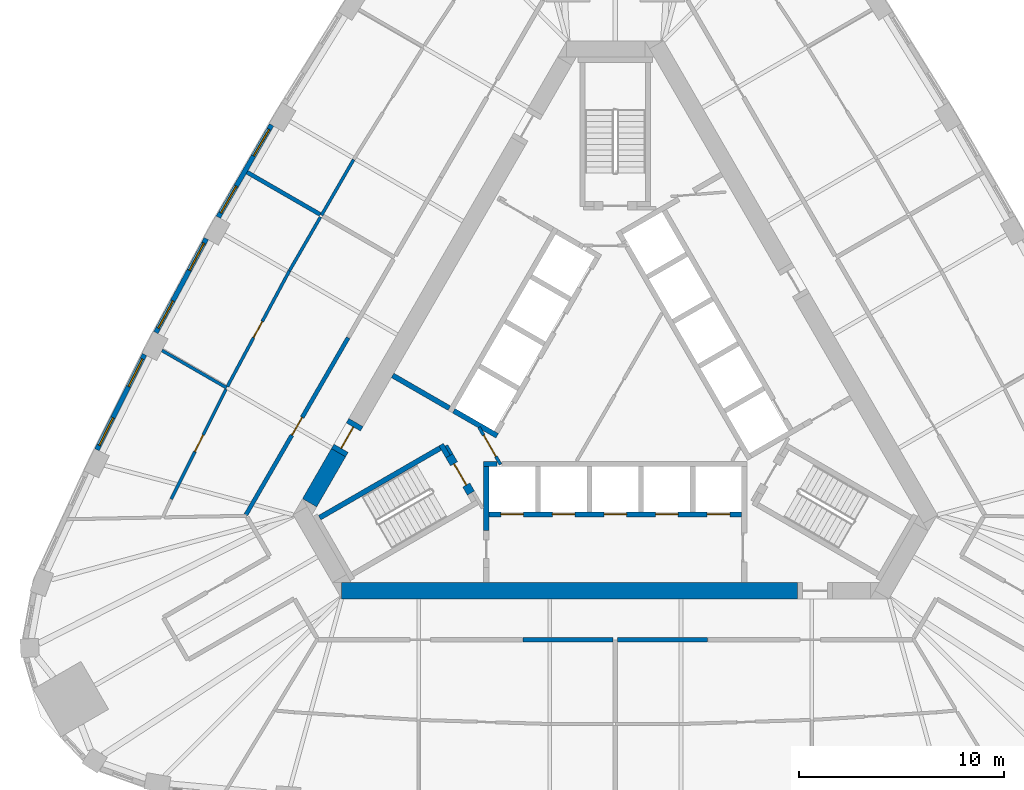
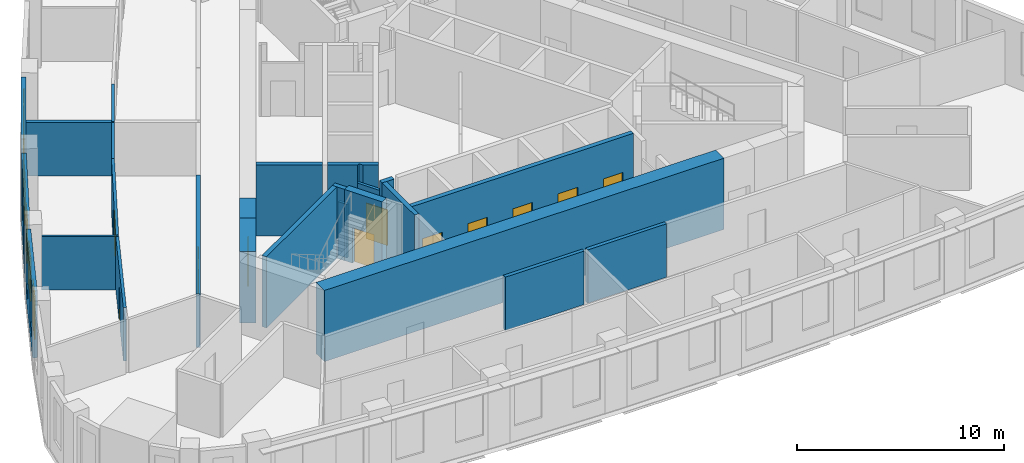
# One storey, part 4 of 10: 25 walls, 11 doors, 6 windows, 17 openings.
"""IFC4 building model written with IfcOpenShell, lengths in metres."""

from ifc_helpers import new_model, si_unit, direction, frame, frame_2d, origin, place, context, subcontext, project, spatial, polyline, rectangle, outline, extrude, material, layer, layer_set, type_object, element, fill, save


model = new_model("IFC4")

# Units and contexts
model_context = context("Model", 3, precision=1e-05, world=origin(), true_north=direction((0.0, 1.0)))
body_context = subcontext(model_context, "Body", "Model", "MODEL_VIEW")
ifc_project = project(units=[si_unit("LENGTHUNIT", "METRE"), si_unit("AREAUNIT", "SQUARE_METRE"), si_unit("VOLUMEUNIT", "CUBIC_METRE"), si_unit("PLANEANGLEUNIT", "RADIAN"), si_unit("MASSUNIT", "GRAM", prefix="KILO")], contexts=[model_context])

# Site, building, storey
site_placement = place(None, origin())
site = spatial("IfcSite", under=ifc_project, at=site_placement, CompositionType="ELEMENT")
building_placement = place(site_placement, origin())
building = spatial("IfcBuilding", under=site, at=building_placement, Name="Mestral Congress Tower", CompositionType="ELEMENT")
storey_placement = place(building_placement, frame((0.0, 0.0, 158.39990234375)))
storey = spatial("IfcBuildingStorey", under=building, at=storey_placement, Name="L37", CompositionType="ELEMENT", Elevation=158.39990234375)

# Wall
ifc_material_1 = material(Name="Fire-rated board partition")
ifc_layer_1 = layer(ifc_material_1, 0.14990234375)
ifc_layer_set_1 = layer_set([ifc_layer_1], Name="Fire-rated board partition")
wall_type_1 = type_object("IfcWallType", Name="Core partition 150", PredefinedType="PARTITIONING", material=ifc_layer_set_1)
wall_1_placement = place(storey_placement, frame((-8.251953125, -2.958251953125, 0.0), z_axis=(0.0, 0.0, 1.0), x_axis=(0.500174715838, -0.865924508047, 0.0)))
element("IfcWall", 1, at=wall_1_placement, inside=storey, type_object=wall_type_1, Name="L37 core wall", PredefinedType="PARTITIONING", context=body_context, shape_type="SweptSolid", body=[
    extrude(rectangle(XDim=0.513916015625, YDim=0.14990234375, at=frame_2d((0.2568359375, 0.0))), origin(), (0.0, 0.0, 1.0), 3.150146484375),
])

# Wall, opening, door
wall_2_placement = place(storey_placement, frame((-5.606201171875, -3.8896484375, 0.0), z_axis=(0.0, 0.0, 1.0), x_axis=(-0.500027713859, 0.866009402589, 0.0)))
wall_2 = element("IfcWall", 2, at=wall_2_placement, inside=storey, type_object=wall_type_1, Name="L37 door wall", PredefinedType="PARTITIONING", context=body_context, shape_type="SweptSolid", body=[
    extrude(rectangle(XDim=2.10009765625, YDim=0.14990234375, at=frame_2d((1.050048828125, 0.0))), origin(), (0.0, 0.0, 1.0), 3.150146484375),
])
opening_1_placement = place(wall_2_placement, frame((0.449951171875, 0.0, 0.0)))
opening_1 = element("IfcOpeningElement", 3, at=opening_1_placement, cuts=wall_2, Name="Opening CD3-FF", PredefinedType="OPENING", context=body_context, shape_type="SweptSolid", body=[
    extrude(rectangle(XDim=1.199951171875, YDim=2.10009765625, at=frame_2d((0.60009765625, 1.050048828125))), frame((0.0, 0.0849609375, 0.0), z_axis=(0.0, -1.0, 0.0), x_axis=(1.0, 0.0, 0.0)), (0.0, 0.0, 1.0), 0.169921875),
])
ifc_material_2 = material(Name="Fire-rated steel door set", Category="steel")
door_type_1 = type_object("IfcDoorType", Name="Core door CD 1200x2100", OperationType="SINGLE_SWING_LEFT", PredefinedType="DOOR", material=ifc_material_2)
door_1_placement = place(opening_1_placement, origin())
door_1 = element("IfcDoor", 4, at=door_1_placement, inside=storey, type_object=door_type_1, Name="Door CD3-FF", OperationType="SINGLE_SWING_LEFT", OverallHeight=2.10009765625, OverallWidth=1.199951171875, PredefinedType="DOOR", context=body_context, shape_type="SweptSolid", body=[
    extrude(rectangle(XDim=1.199951171875, YDim=2.10009765625, at=frame_2d((0.60009765625, 1.050048828125))), frame((0.0, 0.02490234375, 0.0), z_axis=(0.0, -1.0, 0.0), x_axis=(1.0, 0.0, 0.0)), (0.0, 0.0, 1.0), 0.050048828125),
])
fill(opening_1, door_1)

# Walls
ifc_material_3 = material(Name="Concrete C60/75", Category="concrete")
ifc_layer_2 = layer(ifc_material_3, 0.800048828125)
ifc_layer_set_2 = layer_set([ifc_layer_2], Name="Concrete C60/75")
wall_type_2 = type_object("IfcWallType", Name="Core wall RC 800", PredefinedType="SOLIDWALL", material=ifc_layer_set_2)
wall_3_placement = place(storey_placement, frame((-13.377685546875, -10.050048828125, 0.0), z_axis=(0.0, 0.0, 1.0), x_axis=(1.0, 0.0, 0.0)))
element("IfcWall", 5, at=wall_3_placement, inside=storey, type_object=wall_type_2, Name="L37 core wall", PredefinedType="SOLIDWALL", context=body_context, shape_type="SweptSolid", body=[
    extrude(rectangle(XDim=22.281982421875, YDim=0.800048828125, at=frame_2d((11.14111328125, 0.0))), origin(), (0.0, 0.0, 1.0), 4.2001953125),
])
wall_4_placement = place(storey_placement, frame((-13.518310546875, -3.314208984375, 0.0), z_axis=(0.0, 0.0, 1.0), x_axis=(-0.499969377405, -0.866043083026, 0.0)))
element("IfcWall", 6, at=wall_4_placement, inside=storey, type_object=wall_type_2, Name="L37 core wall", PredefinedType="SOLIDWALL", context=body_context, shape_type="SweptSolid", body=[
    extrude(rectangle(XDim=2.824462890625, YDim=0.800048828125, at=frame_2d((1.412109375, 0.0))), origin(), (0.0, 0.0, 1.0), 4.2001953125),
])

# Wall, opening, door
wall_5_placement = place(storey_placement, frame((-13.518310546875, -3.314208984375, 0.0), z_axis=(0.0, 0.0, 1.0), x_axis=(0.500062241894, 0.865989465428, 0.0)))
wall_5 = element("IfcWall", 7, at=wall_5_placement, inside=storey, type_object=wall_type_2, Name="L37 door wall", PredefinedType="SOLIDWALL", context=body_context, shape_type="SweptSolid", body=[
    extrude(rectangle(XDim=1.699951171875, YDim=0.800048828125, at=frame_2d((0.85009765625, 0.0))), origin(), (0.0, 0.0, 1.0), 4.2001953125),
])
opening_2_placement = place(wall_5_placement, frame((0.25, 0.0, 0.0)))
opening_2 = element("IfcOpeningElement", 8, at=opening_2_placement, cuts=wall_5, Name="Opening XD3", PredefinedType="OPENING", context=body_context, shape_type="SweptSolid", body=[
    extrude(rectangle(XDim=1.199951171875, YDim=2.10009765625, at=frame_2d((0.60009765625, 1.050048828125))), frame((0.0, 0.409912109375, 0.0), z_axis=(0.0, -1.0, 0.0), x_axis=(1.0, 0.0, 0.0)), (0.0, 0.0, 1.0), 0.820068359375),
])
door_type_2 = type_object("IfcDoorType", Name="Core door XD 1200x2100", OperationType="SINGLE_SWING_LEFT", PredefinedType="DOOR", material=ifc_material_2)
door_2_placement = place(opening_2_placement, origin())
door_2 = element("IfcDoor", 9, at=door_2_placement, inside=storey, type_object=door_type_2, Name="Door XD3", OperationType="SINGLE_SWING_LEFT", OverallHeight=2.10009765625, OverallWidth=1.199951171875, PredefinedType="DOOR", context=body_context, shape_type="SweptSolid", body=[
    extrude(rectangle(XDim=1.199951171875, YDim=2.10009765625, at=frame_2d((0.60009765625, 1.050048828125))), frame((0.0, 0.02490234375, 0.0), z_axis=(0.0, -1.0, 0.0), x_axis=(1.0, 0.0, 0.0)), (0.0, 0.0, 1.0), 0.050048828125),
])
fill(opening_2, door_2)

# Wall, openings, windows
ifc_material_4 = material(Name="Precast concrete C40/50 with limestone facing", Category="masonry")
ifc_layer_3 = layer(ifc_material_4, 0.239990234375)
ifc_layer_set_3 = layer_set([ifc_layer_3], Name="Precast concrete C40/50 with limestone facing")
wall_type_3 = type_object("IfcWallType", Name="Facade stone wall 240", PredefinedType="SOLIDWALL", material=ifc_layer_set_3)
wall_6_placement = place(storey_placement, frame((-16.788818359375, 12.697265625, 0.0), z_axis=(0.0, 0.0, 1.0), x_axis=(-0.500009456303, -0.866019944116, 0.0)))
wall_6 = element("IfcWall", 10, at=wall_6_placement, inside=storey, type_object=wall_type_3, Name="Facade wall F2-03", PredefinedType="SOLIDWALL", context=body_context, shape_type="SweptSolid", body=[
    extrude(rectangle(XDim=5.20361328125, YDim=0.239990234375, at=frame_2d((2.601806640625, 0.0))), origin(), (0.0, 0.0, 1.0), 3.9501953125),
])
opening_3_placement = place(wall_6_placement, frame((0.248291015625, 0.0, 0.89990234375)))
opening_3 = element("IfcOpeningElement", 11, at=opening_3_placement, cuts=wall_6, Name="Opening W4", PredefinedType="OPENING", context=body_context, shape_type="SweptSolid", body=[
    extrude(rectangle(XDim=1.5, YDim=2.550048828125, at=frame_2d((0.75, 1.27490234375))), frame((0.0, 0.1298828125, 0.0), z_axis=(0.0, -1.0, 0.0), x_axis=(1.0, 0.0, 0.0)), (0.0, 0.0, 1.0), 0.260009765625),
])
opening_4_placement = place(wall_6_placement, frame((3.455078125, 0.0, 0.89990234375)))
opening_4 = element("IfcOpeningElement", 12, at=opening_4_placement, cuts=wall_6, Name="Opening W4", PredefinedType="OPENING", context=body_context, shape_type="SweptSolid", body=[
    extrude(rectangle(XDim=1.5, YDim=2.550048828125, at=frame_2d((0.75, 1.27490234375))), frame((0.0, 0.1298828125, 0.0), z_axis=(0.0, -1.0, 0.0), x_axis=(1.0, 0.0, 0.0)), (0.0, 0.0, 1.0), 0.260009765625),
])
ifc_material_5 = material(Name="Clear low-emissivity double glazing", Category="glass")
window_type = type_object("IfcWindowType", Name="Facade punched window 1500 x 2550 sill 900", PartitioningType="SINGLE_PANEL", PredefinedType="WINDOW", material=ifc_material_5)
window_1_placement = place(opening_3_placement, origin())
window_1 = element("IfcWindow", 13, at=window_1_placement, inside=storey, type_object=window_type, Name="Window F2-03a", OverallHeight=2.550048828125, OverallWidth=1.5, PartitioningType="SINGLE_PANEL", PredefinedType="WINDOW", context=body_context, shape_type="SweptSolid", body=[
    extrude(rectangle(XDim=1.5, YDim=2.550048828125, at=frame_2d((0.75, 1.27490234375))), frame((0.0, 0.0400390625, 0.0), z_axis=(0.0, -1.0, 0.0), x_axis=(1.0, 0.0, 0.0)), (0.0, 0.0, 1.0), 0.06005859375),
])
fill(opening_3, window_1)
window_2_placement = place(opening_4_placement, origin())
window_2 = element("IfcWindow", 14, at=window_2_placement, inside=storey, type_object=window_type, Name="Window F2-03b", OverallHeight=2.550048828125, OverallWidth=1.5, PartitioningType="SINGLE_PANEL", PredefinedType="WINDOW", context=body_context, shape_type="SweptSolid", body=[
    extrude(rectangle(XDim=1.5, YDim=2.550048828125, at=frame_2d((0.75, 1.27490234375))), frame((0.0, 0.0400390625, 0.0), z_axis=(0.0, -1.0, 0.0), x_axis=(1.0, 0.0, 0.0)), (0.0, 0.0, 1.0), 0.06005859375),
])
fill(opening_4, window_2)

wall_7_placement = place(storey_placement, frame((-19.976806640625, 7.138671875, 0.0), z_axis=(0.0, 0.0, 1.0), x_axis=(-0.473349833294, -0.880874528704, 0.0)))
wall_7 = element("IfcWall", 15, at=wall_7_placement, inside=storey, type_object=wall_type_3, Name="Facade wall F2-04", PredefinedType="SOLIDWALL", context=body_context, shape_type="SweptSolid", body=[
    extrude(rectangle(XDim=5.20361328125, YDim=0.239990234375, at=frame_2d((2.601806640625, 0.0))), origin(), (0.0, 0.0, 1.0), 3.9501953125),
])
opening_5_placement = place(wall_7_placement, frame((0.248291015625, 0.0, 0.89990234375)))
opening_5 = element("IfcOpeningElement", 16, at=opening_5_placement, cuts=wall_7, Name="Opening W4", PredefinedType="OPENING", context=body_context, shape_type="SweptSolid", body=[
    extrude(rectangle(XDim=1.5, YDim=2.550048828125, at=frame_2d((0.75, 1.27490234375))), frame((0.0, 0.1298828125, 0.0), z_axis=(0.0, -1.0, 0.0), x_axis=(1.0, 0.0, 0.0)), (0.0, 0.0, 1.0), 0.260009765625),
])
opening_6_placement = place(wall_7_placement, frame((3.455078125, 0.0, 0.89990234375)))
opening_6 = element("IfcOpeningElement", 17, at=opening_6_placement, cuts=wall_7, Name="Opening W4", PredefinedType="OPENING", context=body_context, shape_type="SweptSolid", body=[
    extrude(rectangle(XDim=1.5, YDim=2.550048828125, at=frame_2d((0.75, 1.27490234375))), frame((0.0, 0.1298828125, 0.0), z_axis=(0.0, -1.0, 0.0), x_axis=(1.0, 0.0, 0.0)), (0.0, 0.0, 1.0), 0.260009765625),
])
window_3_placement = place(opening_5_placement, origin())
window_3 = element("IfcWindow", 18, at=window_3_placement, inside=storey, type_object=window_type, Name="Window F2-04a", OverallHeight=2.550048828125, OverallWidth=1.5, PartitioningType="SINGLE_PANEL", PredefinedType="WINDOW", context=body_context, shape_type="SweptSolid", body=[
    extrude(rectangle(XDim=1.5, YDim=2.550048828125, at=frame_2d((0.75, 1.27490234375))), frame((0.0, 0.0400390625, 0.0), z_axis=(0.0, -1.0, 0.0), x_axis=(1.0, 0.0, 0.0)), (0.0, 0.0, 1.0), 0.06005859375),
])
fill(opening_5, window_3)
window_4_placement = place(opening_6_placement, origin())
window_4 = element("IfcWindow", 19, at=window_4_placement, inside=storey, type_object=window_type, Name="Window F2-04b", OverallHeight=2.550048828125, OverallWidth=1.5, PartitioningType="SINGLE_PANEL", PredefinedType="WINDOW", context=body_context, shape_type="SweptSolid", body=[
    extrude(rectangle(XDim=1.5, YDim=2.550048828125, at=frame_2d((0.75, 1.27490234375))), frame((0.0, 0.0400390625, 0.0), z_axis=(0.0, -1.0, 0.0), x_axis=(1.0, 0.0, 0.0)), (0.0, 0.0, 1.0), 0.06005859375),
])
fill(opening_6, window_4)

wall_8_placement = place(storey_placement, frame((-22.993896484375, 1.485107421875, 0.0), z_axis=(0.0, 0.0, 1.0), x_axis=(-0.446256171312, -0.8949052629, 0.0)))
wall_8 = element("IfcWall", 20, at=wall_8_placement, inside=storey, type_object=wall_type_3, Name="Facade wall F2-05", PredefinedType="SOLIDWALL", context=body_context, shape_type="SweptSolid", body=[
    extrude(rectangle(XDim=5.203369140625, YDim=0.239990234375, at=frame_2d((2.6015625, 0.0))), origin(), (0.0, 0.0, 1.0), 3.9501953125),
])
opening_7_placement = place(wall_8_placement, frame((0.248291015625, 0.0, 0.89990234375)))
opening_7 = element("IfcOpeningElement", 21, at=opening_7_placement, cuts=wall_8, Name="Opening W4", PredefinedType="OPENING", context=body_context, shape_type="SweptSolid", body=[
    extrude(rectangle(XDim=1.5, YDim=2.550048828125, at=frame_2d((0.75, 1.27490234375))), frame((0.0, 0.1298828125, 0.0), z_axis=(0.0, -1.0, 0.0), x_axis=(1.0, 0.0, 0.0)), (0.0, 0.0, 1.0), 0.260009765625),
])
opening_8_placement = place(wall_8_placement, frame((3.455078125, 0.0, 0.89990234375)))
opening_8 = element("IfcOpeningElement", 22, at=opening_8_placement, cuts=wall_8, Name="Opening W4", PredefinedType="OPENING", context=body_context, shape_type="SweptSolid", body=[
    extrude(rectangle(XDim=1.5, YDim=2.550048828125, at=frame_2d((0.75, 1.27490234375))), frame((0.0, 0.1298828125, 0.0), z_axis=(0.0, -1.0, 0.0), x_axis=(1.0, 0.0, 0.0)), (0.0, 0.0, 1.0), 0.260009765625),
])
window_5_placement = place(opening_7_placement, origin())
window_5 = element("IfcWindow", 23, at=window_5_placement, inside=storey, type_object=window_type, Name="Window F2-05a", OverallHeight=2.550048828125, OverallWidth=1.5, PartitioningType="SINGLE_PANEL", PredefinedType="WINDOW", context=body_context, shape_type="SweptSolid", body=[
    extrude(rectangle(XDim=1.5, YDim=2.550048828125, at=frame_2d((0.75, 1.27490234375))), frame((0.0, 0.0400390625, 0.0), z_axis=(0.0, -1.0, 0.0), x_axis=(1.0, 0.0, 0.0)), (0.0, 0.0, 1.0), 0.06005859375),
])
fill(opening_7, window_5)
window_6_placement = place(opening_8_placement, origin())
window_6 = element("IfcWindow", 24, at=window_6_placement, inside=storey, type_object=window_type, Name="Window F2-05b", OverallHeight=2.550048828125, OverallWidth=1.5, PartitioningType="SINGLE_PANEL", PredefinedType="WINDOW", context=body_context, shape_type="SweptSolid", body=[
    extrude(rectangle(XDim=1.5, YDim=2.550048828125, at=frame_2d((0.75, 1.27490234375))), frame((0.0, 0.0400390625, 0.0), z_axis=(0.0, -1.0, 0.0), x_axis=(1.0, 0.0, 0.0)), (0.0, 0.0, 1.0), 0.06005859375),
])
fill(opening_8, window_6)

# Walls
ifc_material_6 = material(Name="Plasterboard partition on steel studs", Category="steel")
ifc_layer_4 = layer(ifc_material_6, 0.14990234375)
ifc_layer_set_4 = layer_set([ifc_layer_4], Name="Plasterboard partition on steel studs")
wall_type_4 = type_object("IfcWallType", Name="Office partition 150", PredefinedType="PARTITIONING", material=ifc_layer_set_4)
wall_9_placement = place(storey_placement, frame((-12.779296875, 11.001953125, 0.0), z_axis=(0.0, 0.0, 1.0), x_axis=(-0.499996312652, -0.866027532665, 0.0)))
element("IfcWall", 25, at=wall_9_placement, inside=storey, type_object=wall_type_4, Name="Partition", PredefinedType="PARTITIONING", context=body_context, shape_type="SweptSolid", body=[
    extrude(rectangle(XDim=3.13818359375, YDim=0.14990234375, at=frame_2d((1.569091796875, 0.0))), origin(), (0.0, 0.0, 1.0), 3.150146484375),
])
wall_10_placement = place(storey_placement, frame((-18.980224609375, -0.146728515625, 0.0), z_axis=(0.0, 0.0, 1.0), x_axis=(-0.866035116605, 0.499983176524, 0.0)))
element("IfcWall", 26, at=wall_10_placement, inside=storey, type_object=wall_type_4, Name="Partition", PredefinedType="PARTITIONING", context=body_context, shape_type="SweptSolid", body=[
    extrude(rectangle(XDim=3.647705078125, YDim=0.14990234375, at=frame_2d((1.82373046875, 0.0))), origin(), (0.0, 0.0, 1.0), 3.150146484375),
])
wall_11_placement = place(storey_placement, frame((-14.3984375, 8.197509765625, 0.0), z_axis=(0.0, 0.0, 1.0), x_axis=(-0.499993740961, -0.866029017412, 0.0)))
element("IfcWall", 27, at=wall_11_placement, inside=storey, type_object=wall_type_4, Name="Partition", PredefinedType="PARTITIONING", context=body_context, shape_type="SweptSolid", body=[
    extrude(rectangle(XDim=3.0380859375, YDim=0.14990234375, at=frame_2d((1.51904296875, 0.0))), origin(), (0.0, 0.0, 1.0), 3.150146484375),
])

# Wall, opening, door
wall_12_placement = place(storey_placement, frame((-18.94482421875, -0.08056640625, 0.0), z_axis=(0.0, 0.0, 1.0), x_axis=(0.472485737981, 0.881338316088, 0.0)))
wall_12 = element("IfcWall", 28, at=wall_12_placement, inside=storey, type_object=wall_type_4, Name="Partition", PredefinedType="PARTITIONING", context=body_context, shape_type="SweptSolid", body=[
    extrude(rectangle(XDim=6.4072265625, YDim=0.14990234375, at=frame_2d((3.20361328125, 0.0))), origin(), (0.0, 0.0, 1.0), 3.150146484375),
])
opening_9_placement = place(wall_12_placement, frame((2.70703125, 0.0, 0.0)))
opening_9 = element("IfcOpeningElement", 29, at=opening_9_placement, cuts=wall_12, Name="Opening O02-015", PredefinedType="OPENING", context=body_context, shape_type="SweptSolid", body=[
    extrude(rectangle(XDim=0.89990234375, YDim=2.10009765625, at=frame_2d((0.449951171875, 1.050048828125))), frame((0.0, 0.0849609375, 0.0), z_axis=(0.0, -1.0, 0.0), x_axis=(1.0, 0.0, 0.0)), (0.0, 0.0, 1.0), 0.169921875),
])
ifc_material_7 = material(Name="Timber door set", Category="wood")
door_type_3 = type_object("IfcDoorType", Name="Office door 900x2100", OperationType="SINGLE_SWING_LEFT", PredefinedType="DOOR", material=ifc_material_7)
door_3_placement = place(opening_9_placement, origin())
door_3 = element("IfcDoor", 30, at=door_3_placement, inside=storey, type_object=door_type_3, Name="Door O02-015", OperationType="SINGLE_SWING_LEFT", OverallHeight=2.10009765625, OverallWidth=0.89990234375, PredefinedType="DOOR", context=body_context, shape_type="SweptSolid", body=[
    extrude(rectangle(XDim=0.89990234375, YDim=2.10009765625, at=frame_2d((0.449951171875, 1.050048828125))), frame((0.0, 0.02490234375, 0.0), z_axis=(0.0, -1.0, 0.0), x_axis=(1.0, 0.0, 0.0)), (0.0, 0.0, 1.0), 0.050048828125),
])
fill(opening_9, door_3)

wall_13_placement = place(storey_placement, frame((-21.689208984375, -5.579345703125, 0.0), z_axis=(0.0, 0.0, 1.0), x_axis=(0.446219729364, 0.894923434225, 0.0)))
wall_13 = element("IfcWall", 31, at=wall_13_placement, inside=storey, type_object=wall_type_4, Name="Partition", PredefinedType="PARTITIONING", context=body_context, shape_type="SweptSolid", body=[
    extrude(rectangle(XDim=5.995361328125, YDim=0.14990234375, at=frame_2d((2.99755859375, 0.0))), origin(), (0.0, 0.0, 1.0), 3.150146484375),
])
opening_10_placement = place(wall_13_placement, frame((2.595458984375, 0.0, 0.0)))
opening_10 = element("IfcOpeningElement", 32, at=opening_10_placement, cuts=wall_13, Name="Opening O02-016", PredefinedType="OPENING", context=body_context, shape_type="SweptSolid", body=[
    extrude(rectangle(XDim=0.89990234375, YDim=2.10009765625, at=frame_2d((0.449951171875, 1.050048828125))), frame((0.0, 0.0849609375, 0.0), z_axis=(0.0, -1.0, 0.0), x_axis=(1.0, 0.0, 0.0)), (0.0, 0.0, 1.0), 0.169921875),
])
door_4_placement = place(opening_10_placement, origin())
door_4 = element("IfcDoor", 33, at=door_4_placement, inside=storey, type_object=door_type_3, Name="Door O02-016", OperationType="SINGLE_SWING_RIGHT", OverallHeight=2.10009765625, OverallWidth=0.89990234375, PredefinedType="DOOR", context=body_context, shape_type="SweptSolid", body=[
    extrude(rectangle(XDim=0.89990234375, YDim=2.10009765625, at=frame_2d((0.449951171875, 1.050048828125))), frame((0.0, 0.02490234375, 0.0), z_axis=(0.0, -1.0, 0.0), x_axis=(1.0, 0.0, 0.0)), (0.0, 0.0, 1.0), 0.050048828125),
])
fill(opening_10, door_4)

# Walls
ifc_material_8 = material(Name="Dense masonry wall, plastered", Category="masonry")
ifc_layer_5 = layer(ifc_material_8, 0.199951171875)
ifc_layer_set_5 = layer_set([ifc_layer_5], Name="Dense masonry wall, plastered")
wall_type_5 = type_object("IfcWallType", Name="Office tenancy wall 200", PredefinedType="PARTITIONING", material=ifc_layer_set_5)
wall_14_placement = place(storey_placement, frame((0.10009765625, -12.449951171875, 0.0), z_axis=(0.0, 0.0, 1.0), x_axis=(1.0, 0.0, 0.0)))
element("IfcWall", 34, at=wall_14_placement, inside=storey, type_object=wall_type_5, Name="Tenancy wall", PredefinedType="PARTITIONING", context=body_context, shape_type="SweptSolid", body=[
    extrude(rectangle(XDim=4.39990234375, YDim=0.199951171875, at=frame_2d((2.199951171875, 0.0))), origin(), (0.0, 0.0, 1.0), 3.150146484375),
])
wall_15_placement = place(storey_placement, frame((-14.413330078125, 8.321533203125, 0.0), z_axis=(0.0, 0.0, 1.0), x_axis=(-0.866034795751, 0.499983732284, 0.0)))
element("IfcWall", 35, at=wall_15_placement, inside=storey, type_object=wall_type_5, Name="Tenancy wall", PredefinedType="PARTITIONING", context=body_context, shape_type="SweptSolid", body=[
    extrude(rectangle(XDim=4.125244140625, YDim=0.199951171875, at=frame_2d((2.0625, 0.0))), origin(), (0.0, 0.0, 1.0), 3.150146484375),
])

# Wall, opening, door
wall_16_placement = place(storey_placement, frame((-13.047119140625, 2.302001953125, 0.0), z_axis=(0.0, 0.0, 1.0), x_axis=(-0.499986873641, -0.866032982159, 0.0)))
wall_16 = element("IfcWall", 36, at=wall_16_placement, inside=storey, type_object=wall_type_5, Name="Tenancy wall", PredefinedType="PARTITIONING", context=body_context, shape_type="SweptSolid", body=[
    extrude(rectangle(XDim=9.990478515625, YDim=0.199951171875, at=frame_2d((4.9951171875, 0.0))), origin(), (0.0, 0.0, 1.0), 3.150146484375),
])
opening_11_placement = place(wall_16_placement, frame((4.5, 0.0, 0.0)))
opening_11 = element("IfcOpeningElement", 37, at=opening_11_placement, cuts=wall_16, Name="Opening O02-017", PredefinedType="OPENING", context=body_context, shape_type="SweptSolid", body=[
    extrude(rectangle(XDim=1.0, YDim=2.10009765625, at=frame_2d((0.5, 1.050048828125))), frame((0.0, 0.10986328125, 0.0), z_axis=(0.0, -1.0, 0.0), x_axis=(1.0, 0.0, 0.0)), (0.0, 0.0, 1.0), 0.219970703125),
])
ifc_material_9 = material(Name="Fire-rated timber door set", Category="wood")
door_type_4 = type_object("IfcDoorType", Name="Office tenancy entrance door 1000x2100", OperationType="SINGLE_SWING_LEFT", PredefinedType="DOOR", material=ifc_material_9)
door_5_placement = place(opening_11_placement, origin())
door_5 = element("IfcDoor", 38, at=door_5_placement, inside=storey, type_object=door_type_4, Name="Door O02-017", OperationType="SINGLE_SWING_RIGHT", OverallHeight=2.10009765625, OverallWidth=1.0, PredefinedType="DOOR", context=body_context, shape_type="SweptSolid", body=[
    extrude(rectangle(XDim=1.0, YDim=2.10009765625, at=frame_2d((0.5, 1.050048828125))), frame((0.0, 0.02490234375, 0.0), z_axis=(0.0, -1.0, 0.0), x_axis=(1.0, 0.0, 0.0)), (0.0, 0.0, 1.0), 0.050048828125),
])
fill(opening_11, door_5)

# Walls
wall_17_placement = place(storey_placement, frame((-4.5, -12.449951171875, 0.0), z_axis=(0.0, 0.0, 1.0), x_axis=(1.0, 0.0, 0.0)))
element("IfcWall", 39, at=wall_17_placement, inside=storey, type_object=wall_type_5, Name="Tenancy wall", PredefinedType="PARTITIONING", context=body_context, shape_type="SweptSolid", body=[
    extrude(rectangle(XDim=4.39990234375, YDim=0.199951171875, at=frame_2d((2.199951171875, 0.0))), origin(), (0.0, 0.0, 1.0), 3.150146484375),
])
ifc_layer_6 = layer(ifc_material_3, 0.25)
ifc_layer_set_6 = layer_set([ifc_layer_6], Name="Concrete C60/75")
wall_type_6 = type_object("IfcWallType", Name="Shaft wall RC 250", PredefinedType="SOLIDWALL", material=ifc_layer_set_6)
wall_18_placement = place(storey_placement, frame((-6.425048828125, -3.875, 0.0), z_axis=(0.0, 0.0, 1.0), x_axis=(1.0, 0.0, 0.0)))
element("IfcWall", 40, at=wall_18_placement, inside=storey, type_object=wall_type_6, Name="L37 core wall", PredefinedType="SOLIDWALL", context=body_context, shape_type="SweptSolid", body=[
    extrude(rectangle(XDim=0.657958984375, YDim=0.25, at=frame_2d((0.3291015625, 0.0))), origin(), (0.0, 0.0, 1.0), 4.2001953125),
])
wall_19_placement = place(storey_placement, frame((-6.300048828125, -7.12451171875, 0.0), z_axis=(0.0, 0.0, 1.0), x_axis=(0.0, 1.0, 0.0)))
element("IfcWall", 41, at=wall_19_placement, inside=storey, type_object=wall_type_6, Name="L37 core wall", PredefinedType="SOLIDWALL", context=body_context, shape_type="SweptSolid", body=[
    extrude(rectangle(XDim=3.12451171875, YDim=0.25, at=frame_2d((1.562255859375, 0.0))), origin(), (0.0, 0.0, 1.0), 4.2001953125),
])
wall_20_placement = place(storey_placement, origin())
element("IfcWall", 42, at=wall_20_placement, inside=storey, type_object=wall_type_6, Name="L37 core wall", PredefinedType="SOLIDWALL", context=body_context, shape_type="SweptSolid", body=[
    extrude(outline(polyline([(-5.921630859375, -2.256591796875), (-5.921630859375, -2.256591796875), (-5.705078125, -2.381591796875), (-5.830078125, -2.597900390625), (-6.48291015625, -2.22119140625), (-6.59130859375, -2.033447265625), (-6.59130859375, -2.033447265625), (-6.69970703125, -2.095947265625), (-7.951904296875, -1.373046875), (-7.826904296875, -1.156494140625), (-5.921630859375, -2.256591796875)])), origin(), (0.0, 0.0, 1.0), 4.2001953125),
])
wall_21_placement = place(storey_placement, frame((-8.10595703125, -1.139892578125, 0.0), z_axis=(0.0, 0.0, 1.0), x_axis=(-0.866008981251, 0.500028443584, 0.0)))
element("IfcWall", 43, at=wall_21_placement, inside=storey, type_object=wall_type_6, Name="L37 core wall", PredefinedType="SOLIDWALL", context=body_context, shape_type="SweptSolid", body=[
    extrude(rectangle(XDim=3.199951171875, YDim=0.25, at=frame_2d((1.60009765625, 0.0))), origin(), (0.0, 0.0, 1.0), 4.2001953125),
])

# Wall, openings, doors
wall_22_placement = place(storey_placement, frame((-6.175048828125, -6.324951171875, 0.0), z_axis=(0.0, 0.0, 1.0), x_axis=(1.0, 0.0, 0.0)))
wall_22 = element("IfcWall", 44, at=wall_22_placement, inside=storey, type_object=wall_type_6, Name="L37 door wall", PredefinedType="SOLIDWALL", context=body_context, shape_type="SweptSolid", body=[
    extrude(rectangle(XDim=12.35009765625, YDim=0.25, at=frame_2d((6.175048828125, 0.0))), origin(), (0.0, 0.0, 1.0), 4.2001953125),
])
opening_12_placement = place(wall_22_placement, frame((0.5849609375, 0.0, 0.0)))
opening_12 = element("IfcOpeningElement", 45, at=opening_12_placement, cuts=wall_22, Name="Opening LD-SOB1", PredefinedType="OPENING", context=body_context, shape_type="SweptSolid", body=[
    extrude(rectangle(XDim=1.10009765625, YDim=2.10009765625, at=frame_2d((0.550048828125, 1.050048828125))), frame((0.0, 0.135009765625, 0.0), z_axis=(0.0, -1.0, 0.0), x_axis=(1.0, 0.0, 0.0)), (0.0, 0.0, 1.0), 0.27001953125),
])
opening_13_placement = place(wall_22_placement, frame((3.10498046875, 0.0, 0.0)))
opening_13 = element("IfcOpeningElement", 46, at=opening_13_placement, cuts=wall_22, Name="Opening LD-SOB2", PredefinedType="OPENING", context=body_context, shape_type="SweptSolid", body=[
    extrude(rectangle(XDim=1.10009765625, YDim=2.10009765625, at=frame_2d((0.550048828125, 1.050048828125))), frame((0.0, 0.135009765625, 0.0), z_axis=(0.0, -1.0, 0.0), x_axis=(1.0, 0.0, 0.0)), (0.0, 0.0, 1.0), 0.27001953125),
])
opening_14_placement = place(wall_22_placement, frame((5.625, 0.0, 0.0)))
opening_14 = element("IfcOpeningElement", 47, at=opening_14_placement, cuts=wall_22, Name="Opening LD-SOB3", PredefinedType="OPENING", context=body_context, shape_type="SweptSolid", body=[
    extrude(rectangle(XDim=1.10009765625, YDim=2.10009765625, at=frame_2d((0.550048828125, 1.050048828125))), frame((0.0, 0.135009765625, 0.0), z_axis=(0.0, -1.0, 0.0), x_axis=(1.0, 0.0, 0.0)), (0.0, 0.0, 1.0), 0.27001953125),
])
opening_15_placement = place(wall_22_placement, frame((8.14501953125, 0.0, 0.0)))
opening_15 = element("IfcOpeningElement", 48, at=opening_15_placement, cuts=wall_22, Name="Opening LD-SOB4", PredefinedType="OPENING", context=body_context, shape_type="SweptSolid", body=[
    extrude(rectangle(XDim=1.10009765625, YDim=2.10009765625, at=frame_2d((0.550048828125, 1.050048828125))), frame((0.0, 0.135009765625, 0.0), z_axis=(0.0, -1.0, 0.0), x_axis=(1.0, 0.0, 0.0)), (0.0, 0.0, 1.0), 0.27001953125),
])
opening_16_placement = place(wall_22_placement, frame((10.6650390625, 0.0, 0.0)))
opening_16 = element("IfcOpeningElement", 49, at=opening_16_placement, cuts=wall_22, Name="Opening LD-SOB5", PredefinedType="OPENING", context=body_context, shape_type="SweptSolid", body=[
    extrude(rectangle(XDim=1.10009765625, YDim=2.10009765625, at=frame_2d((0.550048828125, 1.050048828125))), frame((0.0, 0.135009765625, 0.0), z_axis=(0.0, -1.0, 0.0), x_axis=(1.0, 0.0, 0.0)), (0.0, 0.0, 1.0), 0.27001953125),
])
door_type_5 = type_object("IfcDoorType", Name="Core door LD 1100x2100", OperationType="DOUBLE_DOOR_SLIDING", PredefinedType="DOOR", material=ifc_material_2)
door_6_placement = place(opening_12_placement, origin())
door_6 = element("IfcDoor", 50, at=door_6_placement, inside=storey, type_object=door_type_5, Name="Door LD-SOB1", OperationType="DOUBLE_DOOR_SLIDING", OverallHeight=2.10009765625, OverallWidth=1.10009765625, PredefinedType="DOOR", context=body_context, shape_type="SweptSolid", body=[
    extrude(rectangle(XDim=1.10009765625, YDim=2.10009765625, at=frame_2d((0.550048828125, 1.050048828125))), frame((0.0, 0.02490234375, 0.0), z_axis=(0.0, -1.0, 0.0), x_axis=(1.0, 0.0, 0.0)), (0.0, 0.0, 1.0), 0.050048828125),
])
fill(opening_12, door_6)
door_7_placement = place(opening_13_placement, origin())
door_7 = element("IfcDoor", 51, at=door_7_placement, inside=storey, type_object=door_type_5, Name="Door LD-SOB2", OperationType="DOUBLE_DOOR_SLIDING", OverallHeight=2.10009765625, OverallWidth=1.10009765625, PredefinedType="DOOR", context=body_context, shape_type="SweptSolid", body=[
    extrude(rectangle(XDim=1.10009765625, YDim=2.10009765625, at=frame_2d((0.550048828125, 1.050048828125))), frame((0.0, 0.02490234375, 0.0), z_axis=(0.0, -1.0, 0.0), x_axis=(1.0, 0.0, 0.0)), (0.0, 0.0, 1.0), 0.050048828125),
])
fill(opening_13, door_7)
door_8_placement = place(opening_14_placement, origin())
door_8 = element("IfcDoor", 52, at=door_8_placement, inside=storey, type_object=door_type_5, Name="Door LD-SOB3", OperationType="DOUBLE_DOOR_SLIDING", OverallHeight=2.10009765625, OverallWidth=1.10009765625, PredefinedType="DOOR", context=body_context, shape_type="SweptSolid", body=[
    extrude(rectangle(XDim=1.10009765625, YDim=2.10009765625, at=frame_2d((0.550048828125, 1.050048828125))), frame((0.0, 0.02490234375, 0.0), z_axis=(0.0, -1.0, 0.0), x_axis=(1.0, 0.0, 0.0)), (0.0, 0.0, 1.0), 0.050048828125),
])
fill(opening_14, door_8)
door_9_placement = place(opening_15_placement, origin())
door_9 = element("IfcDoor", 53, at=door_9_placement, inside=storey, type_object=door_type_5, Name="Door LD-SOB4", OperationType="DOUBLE_DOOR_SLIDING", OverallHeight=2.10009765625, OverallWidth=1.10009765625, PredefinedType="DOOR", context=body_context, shape_type="SweptSolid", body=[
    extrude(rectangle(XDim=1.10009765625, YDim=2.10009765625, at=frame_2d((0.550048828125, 1.050048828125))), frame((0.0, 0.02490234375, 0.0), z_axis=(0.0, -1.0, 0.0), x_axis=(1.0, 0.0, 0.0)), (0.0, 0.0, 1.0), 0.050048828125),
])
fill(opening_15, door_9)
door_10_placement = place(opening_16_placement, origin())
door_10 = element("IfcDoor", 54, at=door_10_placement, inside=storey, type_object=door_type_5, Name="Door LD-SOB5", OperationType="DOUBLE_DOOR_SLIDING", OverallHeight=2.10009765625, OverallWidth=1.10009765625, PredefinedType="DOOR", context=body_context, shape_type="SweptSolid", body=[
    extrude(rectangle(XDim=1.10009765625, YDim=2.10009765625, at=frame_2d((0.550048828125, 1.050048828125))), frame((0.0, 0.02490234375, 0.0), z_axis=(0.0, -1.0, 0.0), x_axis=(1.0, 0.0, 0.0)), (0.0, 0.0, 1.0), 0.050048828125),
])
fill(opening_16, door_10)

# Walls
ifc_layer_7 = layer(ifc_material_3, 0.25)
ifc_layer_set_7 = layer_set([ifc_layer_7], Name="Concrete C60/75")
wall_type_7 = type_object("IfcWallType", Name="Stair wall RC 250", PredefinedType="SOLIDWALL", material=ifc_layer_set_7)
wall_23_placement = place(storey_placement, frame((-14.43994140625, -6.489501953125, 0.0), z_axis=(0.0, 0.0, 1.0), x_axis=(0.866022966069, 0.500004222222, 0.0)))
element("IfcWall", 55, at=wall_23_placement, inside=storey, type_object=wall_type_7, Name="L37 core wall", PredefinedType="SOLIDWALL", context=body_context, shape_type="SweptSolid", body=[
    extrude(rectangle(XDim=6.80029296875, YDim=0.25, at=frame_2d((3.400146484375, 0.0))), origin(), (0.0, 0.0, 1.0), 4.2001953125),
])
wall_24_placement = place(storey_placement, frame((-8.167724609375, -3.503173828125, 0.0), z_axis=(0.0, 0.0, 1.0), x_axis=(-0.499952099219, 0.866053057547, 0.0)))
element("IfcWall", 56, at=wall_24_placement, inside=storey, type_object=wall_type_7, Name="L37 core wall", PredefinedType="SOLIDWALL", context=body_context, shape_type="SweptSolid", body=[
    extrude(rectangle(XDim=0.6748046875, YDim=0.25, at=frame_2d((0.33740234375, 0.0))), origin(), (0.0, 0.0, 1.0), 4.2001953125),
])

# Wall, opening, door
ifc_layer_8 = layer(ifc_material_3, 0.39990234375)
ifc_layer_set_8 = layer_set([ifc_layer_8], Name="Concrete C60/75")
wall_type_8 = type_object("IfcWallType", Name="Stair wall RC 250 door-wall 400", PredefinedType="SOLIDWALL", material=ifc_layer_set_8)
wall_25_placement = place(storey_placement, frame((-8.102783203125, -3.4658203125, 0.0), z_axis=(0.0, 0.0, 1.0), x_axis=(0.500078061341, -0.865980330357, 0.0)))
wall_25 = element("IfcWall", 57, at=wall_25_placement, inside=storey, type_object=wall_type_8, Name="L37 door wall", PredefinedType="SOLIDWALL", context=body_context, shape_type="SweptSolid", body=[
    extrude(rectangle(XDim=2.099853515625, YDim=0.39990234375, at=frame_2d((1.0498046875, 0.0))), origin(), (0.0, 0.0, 1.0), 4.2001953125),
])
opening_17_placement = place(wall_25_placement, frame((0.449951171875, 0.0, 0.0)))
opening_17 = element("IfcOpeningElement", 58, at=opening_17_placement, cuts=wall_25, Name="Opening ST-D3", PredefinedType="OPENING", context=body_context, shape_type="SweptSolid", body=[
    extrude(rectangle(XDim=1.199951171875, YDim=2.10009765625, at=frame_2d((0.60009765625, 1.050048828125))), frame((0.0, 0.2099609375, 0.0), z_axis=(0.0, -1.0, 0.0), x_axis=(1.0, 0.0, 0.0)), (0.0, 0.0, 1.0), 0.419921875),
])
door_type_6 = type_object("IfcDoorType", Name="Core door ST 1200x2100", OperationType="SINGLE_SWING_LEFT", PredefinedType="DOOR", material=ifc_material_2)
door_11_placement = place(opening_17_placement, origin())
door_11 = element("IfcDoor", 59, at=door_11_placement, inside=storey, type_object=door_type_6, Name="Door ST-D3", OperationType="SINGLE_SWING_LEFT", OverallHeight=2.10009765625, OverallWidth=1.199951171875, PredefinedType="DOOR", context=body_context, shape_type="SweptSolid", body=[
    extrude(rectangle(XDim=1.199951171875, YDim=2.10009765625, at=frame_2d((0.60009765625, 1.050048828125))), frame((0.0, 0.02490234375, 0.0), z_axis=(0.0, -1.0, 0.0), x_axis=(1.0, 0.0, 0.0)), (0.0, 0.0, 1.0), 0.050048828125),
])
fill(opening_17, door_11)

save(model, "model.ifc")
